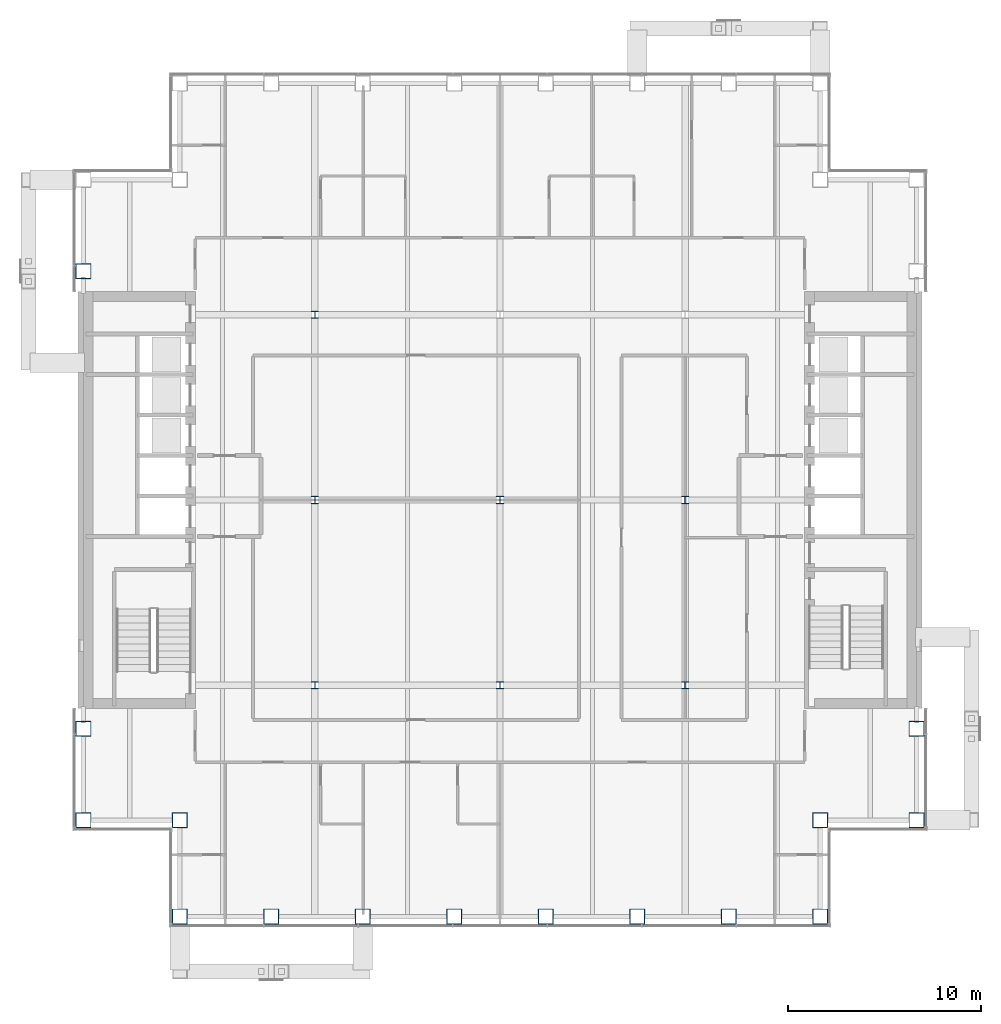
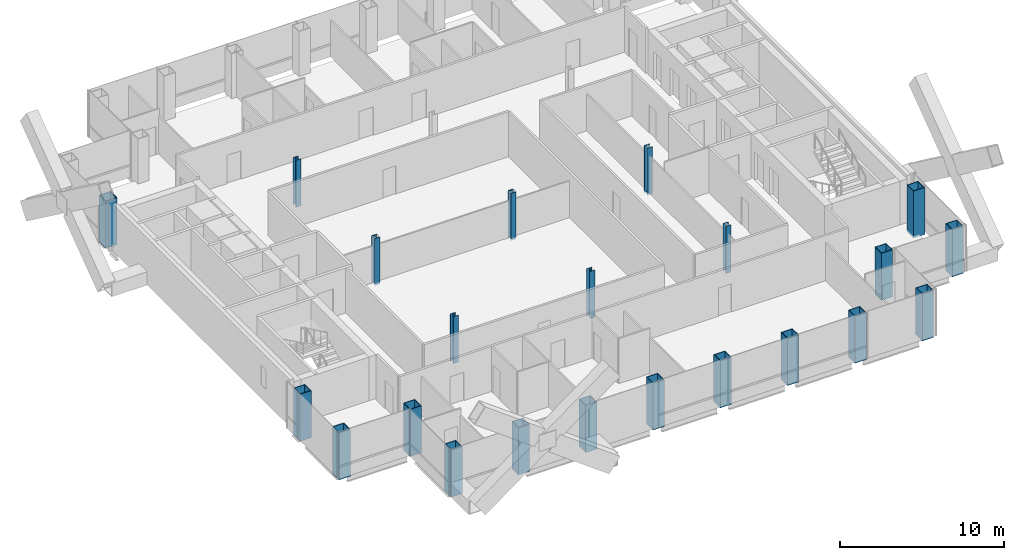
# One storey, part 1 of 14: 22 columns.
"""IFC4 building model written with IfcOpenShell, lengths in metres."""

import ifcopenshell
import ifcopenshell.guid

model = None  # the IFC model being written
_history = None  # IfcOwnerHistory: only IFC2X3 demands one
_inside = {}  # id of a spatial element -> (the spatial element, [elements in it])
_under = {}  # id of a project, library or spatial element -> (it, [spatial elements below it])
_declared = {}  # id of a project -> (the project, [libraries it declares])
_typed = {}  # id of a type object -> (the type object, [elements of that type])
_made_of = {}  # id of a material, layer set ... -> (it, [elements and type objects made of it])


def new_model(schema):
    """Start an empty IFC model of exactly this schema.

    Asked for "IFC4X3", IfcOpenShell would pick the latest addendum, in which some entities
    have other attributes; the version numbers below select the first issue.
    IFC2X3 requires an IfcOwnerHistory on every rooted entity: one is made here for all.
    """
    global model, _history
    if schema == "IFC4X3":
        model = ifcopenshell.file(schema_version=(4, 3, 0, 0))
    else:
        model = ifcopenshell.file(schema=schema)
    _inside.clear()
    _under.clear()
    _declared.clear()
    _typed.clear()
    _made_of.clear()
    _history = None
    if model.schema == "IFC2X3":
        org = make("IfcOrganization", Name="unknown")
        user = make(
            "IfcPersonAndOrganization",
            ThePerson=make("IfcPerson", FamilyName="unknown"),
            TheOrganization=org,
        )
        app = make(
            "IfcApplication",
            ApplicationDeveloper=org,
            Version="unknown",
            ApplicationFullName="unknown",
            ApplicationIdentifier="unknown",
        )
        _history = make(
            "IfcOwnerHistory",
            OwningUser=user,
            OwningApplication=app,
            ChangeAction="ADDED",
            CreationDate=0,
        )
    return model


def make(cls, **values):
    """One entity of the class cls with the attributes given. An attribute that is None is left unset."""
    return model.create_entity(
        cls, **{name: value for name, value in values.items() if value is not None}
    )


def rooted(cls, **values):
    """An entity with a GlobalId (a new one), such as an element, a storey or a relation."""
    return make(cls, GlobalId=ifcopenshell.guid.new(), OwnerHistory=_history, **values)


def si_unit(unit_type, name, prefix=None):
    """IfcSIUnit, for example si_unit("LENGTHUNIT", "METRE", prefix="MILLI")."""
    return make("IfcSIUnit", UnitType=unit_type, Prefix=prefix, Name=name)


def assignment(units):
    """IfcUnitAssignment: the units of a project."""
    return None if units is None else make("IfcUnitAssignment", Units=units)


def point(xyz):
    """IfcCartesianPoint."""
    return None if xyz is None else make("IfcCartesianPoint", Coordinates=xyz)


def direction(xyz):
    """IfcDirection."""
    return None if xyz is None else make("IfcDirection", DirectionRatios=xyz)


def frame(location, z_axis=None, x_axis=None):
    """IfcAxis2Placement3D, a coordinate frame: its origin and axes. An axis left out is left unset."""
    return make(
        "IfcAxis2Placement3D",
        Location=point(location),
        Axis=direction(z_axis),
        RefDirection=direction(x_axis),
    )


def frame_2d(location, x_axis=None):
    """IfcAxis2Placement2D, a coordinate frame in the plane: its origin and x axis."""
    return make(
        "IfcAxis2Placement2D", Location=point(location), RefDirection=direction(x_axis)
    )


def origin():
    """The frame at (0, 0, 0) with its axes left unset."""
    return frame((0.0, 0.0, 0.0))


def origin_2d():
    """The frame at (0, 0) in the plane with its x axis left unset."""
    return frame_2d((0.0, 0.0))


def place(relative_to, where):
    """IfcLocalPlacement: puts the frame where relative to a parent placement (None: the world)."""
    return make(
        "IfcLocalPlacement", PlacementRelTo=relative_to, RelativePlacement=where
    )


def context(
    kind, dimensions, precision=None, world=None, true_north=None, identifier=None
):
    """IfcGeometricRepresentationContext, for example the 3D "Model" context."""
    return make(
        "IfcGeometricRepresentationContext",
        ContextIdentifier=identifier,
        ContextType=kind,
        CoordinateSpaceDimension=dimensions,
        Precision=precision,
        WorldCoordinateSystem=world,
        TrueNorth=true_north,
    )


def subcontext(parent, identifier, kind, view, scale=None):
    """IfcGeometricRepresentationSubContext, for example "Body" below "Model"."""
    return make(
        "IfcGeometricRepresentationSubContext",
        ContextIdentifier=identifier,
        ContextType=kind,
        ParentContext=parent,
        TargetScale=scale,
        TargetView=view,
    )


def project(units=None, contexts=None):
    """IfcProject with its units and contexts."""
    return rooted(
        "IfcProject",
        Name="project",
        RepresentationContexts=contexts,
        UnitsInContext=assignment(units),
    )


def spatial(cls, under=None, at=None, **own):
    """A site, building, storey or space (cls), placed at a placement, below another one or the project."""
    s = rooted(cls, ObjectPlacement=at, **own)
    if under is not None:
        _under.setdefault(under.id(), (under, []))[1].append(s)
    return s


def profile(cls, at=None, kind="AREA", **sizes):
    """A parametric profile (cls). Its sizes go by their IFC names, for example OverallWidth=200.0."""
    return make(cls, ProfileType=kind, Position=at, **sizes)


def hollow_rectangle(**sizes):
    """IfcRectangleHollowProfileDef."""
    return profile("IfcRectangleHollowProfileDef", **sizes)


def i_section(**sizes):
    """IfcIShapeProfileDef."""
    return profile("IfcIShapeProfileDef", **sizes)


def extrude(swept, where, along, depth):
    """IfcExtrudedAreaSolid: the profile swept, set in the frame where, extruded along a direction by depth."""
    return make(
        "IfcExtrudedAreaSolid",
        SweptArea=swept,
        Position=where,
        ExtrudedDirection=direction(along),
        Depth=depth,
    )


def shape(context_of_items, identifier, shape_type, items):
    """IfcShapeRepresentation: the items that make up one representation, for example the "Body"."""
    return make(
        "IfcShapeRepresentation",
        ContextOfItems=context_of_items,
        RepresentationIdentifier=identifier,
        RepresentationType=shape_type,
        Items=items,
    )


def material(Name=None, Category=None):
    """IfcMaterial."""
    return make("IfcMaterial", Name=Name, Category=Category)


def material_profile(
    of_material, cross_section, Name=None, Category=None, Priority=None
):
    """IfcMaterialProfile: a cross section and its material."""
    return make(
        "IfcMaterialProfile",
        Name=Name,
        Material=of_material,
        Profile=cross_section,
        Priority=Priority,
        Category=Category,
    )


def profile_set(profiles, Name=None, composite=None):
    """IfcMaterialProfileSet."""
    return make(
        "IfcMaterialProfileSet",
        Name=Name,
        MaterialProfiles=profiles,
        CompositeProfile=composite,
    )


def made_of(thing, what):
    """Note that an element or type object is made of a material, layer set ...; save() writes the relation."""
    if what is not None:
        _made_of.setdefault(what.id(), (what, []))[1].append(thing)
    return thing


def type_object(cls, material=None, **own):
    """A type object (cls), such as IfcWallType, which elements share."""
    return made_of(rooted(cls, **own), material)


def element(
    cls,
    number,
    at=None,
    inside=None,
    cuts=None,
    type_object=None,
    material=None,
    context=None,
    identifier="Body",
    shape_type=None,
    held_by="IfcProductDefinitionShape",
    body=None,
    shapes=None,
    **own,
):
    """One element of the class cls, such as IfcWall. Its Tag is "e" and its number.

    at: its placement. inside: the storey or other place that contains it. cuts: it is an
    opening in that element (IfcRelVoidsElement). A single representation is given by context,
    identifier, shape_type and body (its items); several are given by shapes. held_by: the class
    of the entity that holds the representations. save() writes the other relations.
    """
    e = rooted(cls, Tag="e%d" % number, ObjectPlacement=at, **own)
    if body is not None:
        shapes = [shape(context, identifier, shape_type, body)]
    if shapes is not None:
        e.Representation = make(held_by, Representations=shapes)
    if inside is not None:
        _inside.setdefault(inside.id(), (inside, []))[1].append(e)
    if cuts is not None:
        rooted(
            "IfcRelVoidsElement", RelatingBuildingElement=cuts, RelatedOpeningElement=e
        )
    if type_object is not None:
        _typed.setdefault(type_object.id(), (type_object, []))[1].append(e)
    return made_of(e, material)


def aggregate(whole, parts):
    """IfcRelAggregates: a whole, such as a stair, and the parts it consists of."""
    return rooted("IfcRelAggregates", RelatingObject=whole, RelatedObjects=parts)


def save(model, path):
    """Write the relations noted so far, then the file.

    IfcRelAggregates (storeys below a building ...), IfcRelContainedInSpatialStructure (elements
    in a storey), IfcRelDefinesByType, IfcRelAssociatesMaterial and IfcRelDeclares: one each for
    every whole, place, type object, material and project.
    """
    for whole, parts in _under.values():
        aggregate(whole, parts)
    for where, things in _inside.values():
        rooted(
            "IfcRelContainedInSpatialStructure",
            RelatedElements=things,
            RelatingStructure=where,
        )
    for kind, things in _typed.values():
        rooted("IfcRelDefinesByType", RelatedObjects=things, RelatingType=kind)
    for what, things in _made_of.values():
        rooted("IfcRelAssociatesMaterial", RelatedObjects=things, RelatingMaterial=what)
    for by, libraries in _declared.values():
        rooted("IfcRelDeclares", RelatingContext=by, RelatedDefinitions=libraries)
    model.write(path)


model = new_model("IFC4")

# Units and contexts
model_context = context("Model", 3, precision=1e-05, world=origin(), true_north=direction((0.0, 1.0)))
body_context = subcontext(model_context, "Body", "Model", "MODEL_VIEW")
ifc_project = project(units=[si_unit("LENGTHUNIT", "METRE"), si_unit("AREAUNIT", "SQUARE_METRE"), si_unit("VOLUMEUNIT", "CUBIC_METRE"), si_unit("PLANEANGLEUNIT", "RADIAN"), si_unit("MASSUNIT", "GRAM", prefix="KILO")], contexts=[model_context])

# Site, building, storey
site_placement = place(None, origin())
site = spatial("IfcSite", under=ifc_project, at=site_placement, CompositionType="ELEMENT")
building_placement = place(site_placement, origin())
building = spatial("IfcBuilding", under=site, at=building_placement, Name="Cobrizo Arcos Hotel Tower", CompositionType="ELEMENT")
storey_placement = place(building_placement, frame((0.0, 0.0, 179.5)))
storey = spatial("IfcBuildingStorey", under=building, at=storey_placement, Name="L46", CompositionType="ELEMENT", Elevation=179.5)

# Columns
ifc_material_1 = material(Name="Steel ASTM A572 Grade 50", Category="steel")
ifc_material_profile_1 = material_profile(ifc_material_1, hollow_rectangle(XDim=0.800048828125, YDim=0.800048828125, WallThickness=0.044921875, at=origin_2d()), Name="BOX 800X800X45")
ifc_profile_set_1 = profile_set([ifc_material_profile_1], Name="Steel ASTM A572 Grade 50")
column_type_1 = type_object("IfcColumnType", Name="BOX 800X800X45 column", PredefinedType="COLUMN", material=ifc_profile_set_1)
for number, where, z_axis, x_axis, name in (
    (1, (-16.60009765625, -21.60009765625, -0.14990234375), (0.0, 0.0, 1.0), (1.0, 0.0, 0.0), "Perimeter column C8, L46, no. 01"),
    (2, (-11.85693359375, -21.60009765625, -0.14990234375), (0.0, 0.0, 1.0), (1.0, 0.0, 0.0), "Perimeter column C8, L46, no. 03"),
    (3, (-7.114013671875, -21.60009765625, -0.14990234375), (0.0, 0.0, 1.0), (1.0, 0.0, 0.0), "Perimeter column C8, L46, no. 05"),
    (4, (-2.37109375, -21.60009765625, -0.14990234375), (0.0, 0.0, 1.0), (1.0, 0.0, 0.0), "Perimeter column C8, L46, no. 07"),
    (5, (2.37109375, -21.60009765625, -0.14990234375), (0.0, 0.0, 1.0), (1.0, 0.0, 0.0), "Perimeter column C8, L46, no. 09"),
    (6, (7.114013671875, -21.60009765625, -0.14990234375), (0.0, 0.0, 1.0), (1.0, 0.0, 0.0), "Perimeter column C8, L46, no. 11"),
    (7, (11.85693359375, -21.60009765625, -0.14990234375), (0.0, 0.0, 1.0), (1.0, 0.0, 0.0), "Perimeter column C8, L46, no. 13"),
    (8, (16.60009765625, -21.60009765625, -0.14990234375), (0.0, 0.0, 1.0), (1.0, 0.0, 0.0), "Perimeter column C8, L46, no. 15"),
    (9, (21.60009765625, -16.60009765625, -0.14990234375), (0.0, 0.0, 1.0), (1.0, 0.0, 0.0), "Perimeter column C8, L46, no. 16"),
    (10, (-21.60009765625, -16.60009765625, -0.14990234375), (0.0, 0.0, 1.0), (1.0, 0.0, 0.0), "Perimeter column C8, L46, no. 17"),
    (11, (21.60009765625, -11.85693359375, -0.14990234375), (0.0, 0.0, 1.0), (1.0, 0.0, 0.0), "Perimeter column C8, L46, no. 18"),
    (12, (-21.60009765625, -11.85693359375, -0.14990234375), (0.0, 0.0, 1.0), (1.0, 0.0, 0.0), "Perimeter column C8, L46, no. 19"),
    (13, (-21.60009765625, 11.85693359375, -0.14990234375), (0.0, 0.0, 1.0), (1.0, 0.0, 0.0), "Perimeter column C8, L46, no. 21"),
    (14, (-16.60009765625, -16.60009765625, -0.14990234375), (0.0, 0.0, 1.0), (1.0, 0.0, 0.0), "Perimeter column C8, L46, no. 24"),
    (15, (16.60009765625, -16.60009765625, -0.14990234375), (0.0, 0.0, 1.0), (1.0, 0.0, 0.0), "Perimeter column C8, L46, no. 26"),
):
    element("IfcColumn", number, at=place(storey_placement, frame(where, z_axis=z_axis, x_axis=x_axis)), inside=storey, type_object=column_type_1, Name=name, PredefinedType="COLUMN", context=body_context, shape_type="SweptSolid", body=[
        extrude(hollow_rectangle(XDim=0.800048828125, YDim=0.800048828125, WallThickness=0.044921875, at=origin_2d()), origin(), (0.0, 0.0, 1.0), 3.5),
    ])
ifc_material_2 = material(Name="Steel ASTM A992 Grade 50", Category="steel")
ifc_material_profile_2 = material_profile(ifc_material_2, i_section(OverallWidth=0.373291015625, OverallDepth=0.373291015625, WebThickness=0.016357421875, FlangeThickness=0.026123046875, at=origin_2d()), Name="W14X132")
ifc_profile_set_2 = profile_set([ifc_material_profile_2], Name="Steel ASTM A992 Grade 50")
column_type_2 = type_object("IfcColumnType", Name="W14X132 interior column", PredefinedType="COLUMN", material=ifc_profile_set_2)
for number, where, z_axis, x_axis, name in (
    (16, (-9.60009765625, -9.60009765625, -0.14990234375), (0.0, 0.0, 1.0), (1.0, 0.0, 0.0), "Interior column C9, L46, no. 00"),
    (17, (-9.60009765625, 0.0, -0.14990234375), (0.0, 0.0, 1.0), (1.0, 0.0, 0.0), "Interior column C9, L46, no. 01"),
    (18, (-9.60009765625, 9.60009765625, -0.14990234375), (0.0, 0.0, 1.0), (1.0, 0.0, 0.0), "Interior column C9, L46, no. 02"),
    (19, (0.0, -9.60009765625, -0.14990234375), (0.0, 0.0, 1.0), (1.0, 0.0, 0.0), "Interior column C9, L46, no. 03"),
    (20, (0.0, 0.0, -0.14990234375), (0.0, 0.0, 1.0), (1.0, 0.0, 0.0), "Interior column C9, L46, no. 04"),
    (21, (9.60009765625, -9.60009765625, -0.14990234375), (0.0, 0.0, 1.0), (1.0, 0.0, 0.0), "Interior column C9, L46, no. 06"),
    (22, (9.60009765625, 0.0, -0.14990234375), (0.0, 0.0, 1.0), (1.0, 0.0, 0.0), "Interior column C9, L46, no. 07"),
):
    element("IfcColumn", number, at=place(storey_placement, frame(where, z_axis=z_axis, x_axis=x_axis)), inside=storey, type_object=column_type_2, Name=name, PredefinedType="COLUMN", context=body_context, shape_type="SweptSolid", body=[
        extrude(i_section(OverallWidth=0.373291015625, OverallDepth=0.373291015625, WebThickness=0.016357421875, FlangeThickness=0.026123046875, at=origin_2d()), origin(), (0.0, 0.0, 1.0), 3.5),
    ])

save(model, "model.ifc")
